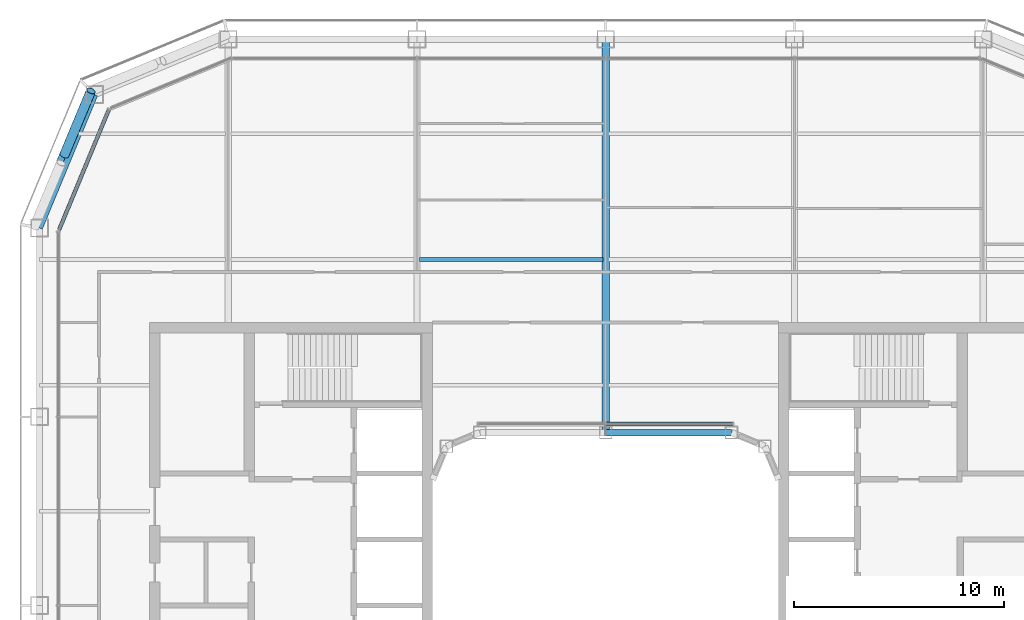
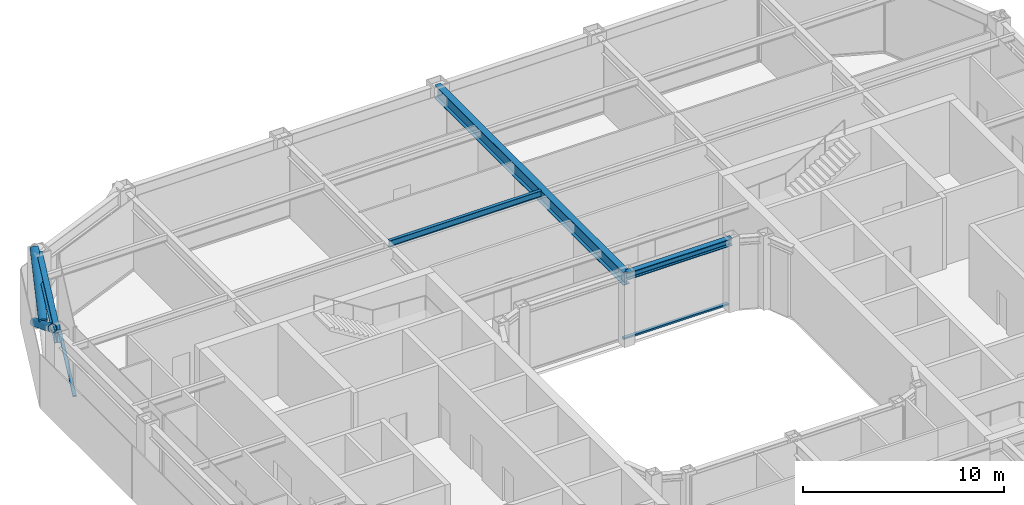
# One storey, part 7 of 19: 4 beams, 4 members, 2 elements without a shape of their own.
"""IFC4 building model written with IfcOpenShell, lengths in metres."""

import ifcopenshell
import ifcopenshell.guid

model = None  # the IFC model being written
_history = None  # IfcOwnerHistory: only IFC2X3 demands one
_inside = {}  # id of a spatial element -> (the spatial element, [elements in it])
_under = {}  # id of a project, library or spatial element -> (it, [spatial elements below it])
_declared = {}  # id of a project -> (the project, [libraries it declares])
_typed = {}  # id of a type object -> (the type object, [elements of that type])
_made_of = {}  # id of a material, layer set ... -> (it, [elements and type objects made of it])


def new_model(schema):
    """Start an empty IFC model of exactly this schema.

    Asked for "IFC4X3", IfcOpenShell would pick the latest addendum, in which some entities
    have other attributes; the version numbers below select the first issue.
    IFC2X3 requires an IfcOwnerHistory on every rooted entity: one is made here for all.
    """
    global model, _history
    if schema == "IFC4X3":
        model = ifcopenshell.file(schema_version=(4, 3, 0, 0))
    else:
        model = ifcopenshell.file(schema=schema)
    _inside.clear()
    _under.clear()
    _declared.clear()
    _typed.clear()
    _made_of.clear()
    _history = None
    if model.schema == "IFC2X3":
        org = make("IfcOrganization", Name="unknown")
        user = make(
            "IfcPersonAndOrganization",
            ThePerson=make("IfcPerson", FamilyName="unknown"),
            TheOrganization=org,
        )
        app = make(
            "IfcApplication",
            ApplicationDeveloper=org,
            Version="unknown",
            ApplicationFullName="unknown",
            ApplicationIdentifier="unknown",
        )
        _history = make(
            "IfcOwnerHistory",
            OwningUser=user,
            OwningApplication=app,
            ChangeAction="ADDED",
            CreationDate=0,
        )
    return model


def make(cls, **values):
    """One entity of the class cls with the attributes given. An attribute that is None is left unset."""
    return model.create_entity(
        cls, **{name: value for name, value in values.items() if value is not None}
    )


def rooted(cls, **values):
    """An entity with a GlobalId (a new one), such as an element, a storey or a relation."""
    return make(cls, GlobalId=ifcopenshell.guid.new(), OwnerHistory=_history, **values)


def si_unit(unit_type, name, prefix=None):
    """IfcSIUnit, for example si_unit("LENGTHUNIT", "METRE", prefix="MILLI")."""
    return make("IfcSIUnit", UnitType=unit_type, Prefix=prefix, Name=name)


def assignment(units):
    """IfcUnitAssignment: the units of a project."""
    return None if units is None else make("IfcUnitAssignment", Units=units)


def point(xyz):
    """IfcCartesianPoint."""
    return None if xyz is None else make("IfcCartesianPoint", Coordinates=xyz)


def direction(xyz):
    """IfcDirection."""
    return None if xyz is None else make("IfcDirection", DirectionRatios=xyz)


def frame(location, z_axis=None, x_axis=None):
    """IfcAxis2Placement3D, a coordinate frame: its origin and axes. An axis left out is left unset."""
    return make(
        "IfcAxis2Placement3D",
        Location=point(location),
        Axis=direction(z_axis),
        RefDirection=direction(x_axis),
    )


def frame_2d(location, x_axis=None):
    """IfcAxis2Placement2D, a coordinate frame in the plane: its origin and x axis."""
    return make(
        "IfcAxis2Placement2D", Location=point(location), RefDirection=direction(x_axis)
    )


def origin():
    """The frame at (0, 0, 0) with its axes left unset."""
    return frame((0.0, 0.0, 0.0))


def origin_2d():
    """The frame at (0, 0) in the plane with its x axis left unset."""
    return frame_2d((0.0, 0.0))


def place(relative_to, where):
    """IfcLocalPlacement: puts the frame where relative to a parent placement (None: the world)."""
    return make(
        "IfcLocalPlacement", PlacementRelTo=relative_to, RelativePlacement=where
    )


def context(
    kind, dimensions, precision=None, world=None, true_north=None, identifier=None
):
    """IfcGeometricRepresentationContext, for example the 3D "Model" context."""
    return make(
        "IfcGeometricRepresentationContext",
        ContextIdentifier=identifier,
        ContextType=kind,
        CoordinateSpaceDimension=dimensions,
        Precision=precision,
        WorldCoordinateSystem=world,
        TrueNorth=true_north,
    )


def subcontext(parent, identifier, kind, view, scale=None):
    """IfcGeometricRepresentationSubContext, for example "Body" below "Model"."""
    return make(
        "IfcGeometricRepresentationSubContext",
        ContextIdentifier=identifier,
        ContextType=kind,
        ParentContext=parent,
        TargetScale=scale,
        TargetView=view,
    )


def project(units=None, contexts=None):
    """IfcProject with its units and contexts."""
    return rooted(
        "IfcProject",
        Name="project",
        RepresentationContexts=contexts,
        UnitsInContext=assignment(units),
    )


def spatial(cls, under=None, at=None, **own):
    """A site, building, storey or space (cls), placed at a placement, below another one or the project."""
    s = rooted(cls, ObjectPlacement=at, **own)
    if under is not None:
        _under.setdefault(under.id(), (under, []))[1].append(s)
    return s


def profile(cls, at=None, kind="AREA", **sizes):
    """A parametric profile (cls). Its sizes go by their IFC names, for example OverallWidth=200.0."""
    return make(cls, ProfileType=kind, Position=at, **sizes)


def rectangle(**sizes):
    """IfcRectangleProfileDef."""
    return profile("IfcRectangleProfileDef", **sizes)


def hollow_circle(**sizes):
    """IfcCircleHollowProfileDef."""
    return profile("IfcCircleHollowProfileDef", **sizes)


def i_section(**sizes):
    """IfcIShapeProfileDef."""
    return profile("IfcIShapeProfileDef", **sizes)


def extrude(swept, where, along, depth):
    """IfcExtrudedAreaSolid: the profile swept, set in the frame where, extruded along a direction by depth."""
    return make(
        "IfcExtrudedAreaSolid",
        SweptArea=swept,
        Position=where,
        ExtrudedDirection=direction(along),
        Depth=depth,
    )


def shape(context_of_items, identifier, shape_type, items):
    """IfcShapeRepresentation: the items that make up one representation, for example the "Body"."""
    return make(
        "IfcShapeRepresentation",
        ContextOfItems=context_of_items,
        RepresentationIdentifier=identifier,
        RepresentationType=shape_type,
        Items=items,
    )


def material(Name=None, Category=None):
    """IfcMaterial."""
    return make("IfcMaterial", Name=Name, Category=Category)


def layer(
    of_material, thickness, ventilated=None, Name=None, Category=None, Priority=None
):
    """IfcMaterialLayer: one layer of a wall or slab, of a material (None: an air gap)."""
    return make(
        "IfcMaterialLayer",
        Material=of_material,
        LayerThickness=thickness,
        IsVentilated=ventilated,
        Name=Name,
        Category=Category,
        Priority=Priority,
    )


def layer_set(layers, Name=None):
    """IfcMaterialLayerSet."""
    return make("IfcMaterialLayerSet", MaterialLayers=layers, LayerSetName=Name)


def material_profile(
    of_material, cross_section, Name=None, Category=None, Priority=None
):
    """IfcMaterialProfile: a cross section and its material."""
    return make(
        "IfcMaterialProfile",
        Name=Name,
        Material=of_material,
        Profile=cross_section,
        Priority=Priority,
        Category=Category,
    )


def profile_set(profiles, Name=None, composite=None):
    """IfcMaterialProfileSet."""
    return make(
        "IfcMaterialProfileSet",
        Name=Name,
        MaterialProfiles=profiles,
        CompositeProfile=composite,
    )


def made_of(thing, what):
    """Note that an element or type object is made of a material, layer set ...; save() writes the relation."""
    if what is not None:
        _made_of.setdefault(what.id(), (what, []))[1].append(thing)
    return thing


def type_object(cls, material=None, **own):
    """A type object (cls), such as IfcWallType, which elements share."""
    return made_of(rooted(cls, **own), material)


def element(
    cls,
    number,
    at=None,
    inside=None,
    cuts=None,
    type_object=None,
    material=None,
    context=None,
    identifier="Body",
    shape_type=None,
    held_by="IfcProductDefinitionShape",
    body=None,
    shapes=None,
    **own,
):
    """One element of the class cls, such as IfcWall. Its Tag is "e" and its number.

    at: its placement. inside: the storey or other place that contains it. cuts: it is an
    opening in that element (IfcRelVoidsElement). A single representation is given by context,
    identifier, shape_type and body (its items); several are given by shapes. held_by: the class
    of the entity that holds the representations. save() writes the other relations.
    """
    e = rooted(cls, Tag="e%d" % number, ObjectPlacement=at, **own)
    if body is not None:
        shapes = [shape(context, identifier, shape_type, body)]
    if shapes is not None:
        e.Representation = make(held_by, Representations=shapes)
    if inside is not None:
        _inside.setdefault(inside.id(), (inside, []))[1].append(e)
    if cuts is not None:
        rooted(
            "IfcRelVoidsElement", RelatingBuildingElement=cuts, RelatedOpeningElement=e
        )
    if type_object is not None:
        _typed.setdefault(type_object.id(), (type_object, []))[1].append(e)
    return made_of(e, material)


def aggregate(whole, parts):
    """IfcRelAggregates: a whole, such as a stair, and the parts it consists of."""
    return rooted("IfcRelAggregates", RelatingObject=whole, RelatedObjects=parts)


def save(model, path):
    """Write the relations noted so far, then the file.

    IfcRelAggregates (storeys below a building ...), IfcRelContainedInSpatialStructure (elements
    in a storey), IfcRelDefinesByType, IfcRelAssociatesMaterial and IfcRelDeclares: one each for
    every whole, place, type object, material and project.
    """
    for whole, parts in _under.values():
        aggregate(whole, parts)
    for where, things in _inside.values():
        rooted(
            "IfcRelContainedInSpatialStructure",
            RelatedElements=things,
            RelatingStructure=where,
        )
    for kind, things in _typed.values():
        rooted("IfcRelDefinesByType", RelatedObjects=things, RelatingType=kind)
    for what, things in _made_of.values():
        rooted("IfcRelAssociatesMaterial", RelatedObjects=things, RelatingMaterial=what)
    for by, libraries in _declared.values():
        rooted("IfcRelDeclares", RelatingContext=by, RelatedDefinitions=libraries)
    model.write(path)


model = new_model("IFC4")

# Units and contexts
model_context = context("Model", 3, precision=1e-05, world=origin(), true_north=direction((0.0, 1.0)))
body_context = subcontext(model_context, "Body", "Model", "MODEL_VIEW")
ifc_project = project(units=[si_unit("LENGTHUNIT", "METRE"), si_unit("AREAUNIT", "SQUARE_METRE"), si_unit("VOLUMEUNIT", "CUBIC_METRE"), si_unit("PLANEANGLEUNIT", "RADIAN"), si_unit("MASSUNIT", "GRAM", prefix="KILO")], contexts=[model_context])

# Site, building, storey
site_placement = place(None, origin())
site = spatial("IfcSite", under=ifc_project, at=site_placement, CompositionType="ELEMENT")
building_placement = place(site_placement, origin())
building = spatial("IfcBuilding", under=site, at=building_placement, Name="Siwar Civic Tower", CompositionType="ELEMENT")
storey_placement = place(building_placement, frame((0.0, 0.0, 210.699951171875)))
storey = spatial("IfcBuildingStorey", under=building, at=storey_placement, Name="L45", CompositionType="ELEMENT", Elevation=210.699951171875)

# Curtain wall, member
ifc_material_1 = material(Name="Aluminium clad insulated panel", Category="aluminium")
ifc_layer_1 = layer(ifc_material_1, 0.179931640625)
ifc_layer_set_1 = layer_set([ifc_layer_1], Name="Aluminium clad insulated panel")
curtain_wall_type_1 = type_object("IfcCurtainWallType", Name="ENV-CW-CX", PredefinedType="NOTDEFINED", material=ifc_layer_set_1)
curtain_wall_1_placement = place(storey_placement, origin())
curtain_wall_1 = element("IfcCurtainWall", 1, at=curtain_wall_1_placement, inside=storey, type_object=curtain_wall_type_1, Name="Curtain wall C NW2", PredefinedType="NOTDEFINED")
ifc_material_2 = material(Name="Aluminium 6063-T6", Category="aluminium")
ifc_material_profile_1 = material_profile(ifc_material_2, rectangle(XDim=0.179931640625, YDim=0.10009765625, at=origin_2d()), Name="AL 180x100")
ifc_profile_set_1 = profile_set([ifc_material_profile_1], Name="Aluminium 6063-T6")
member_type_1 = type_object("IfcMemberType", Name="ENV-TRANSOM-C", PredefinedType="USERDEFINED", material=ifc_profile_set_1)
member_1_placement = place(storey_placement, frame((-23.6865234375, 23.6474609375, 0.050048828125), z_axis=(-0.382691366456, -0.923876246063, 0.0), x_axis=(0.923876246063, -0.382691366456, 0.0)))
member_1 = element("IfcMember", 2, at=member_1_placement, type_object=member_type_1, Name="Transom C NW2 1", ObjectType="TRANSOM", PredefinedType="USERDEFINED", context=body_context, shape_type="SweptSolid", body=[
    extrude(rectangle(XDim=0.179931640625, YDim=0.10009765625, at=origin_2d()), origin(), (0.0, 0.0, 1.0), 6.20166015625),
])
aggregate(curtain_wall_1, [member_1])

ifc_material_3 = material(Name="Aluminium and glass", Category="aluminium")
ifc_layer_2 = layer(ifc_material_3, 0.179931640625)
ifc_layer_set_2 = layer_set([ifc_layer_2], Name="Aluminium and glass")
curtain_wall_type_2 = type_object("IfcCurtainWallType", Name="ENV-CW-W", PredefinedType="NOTDEFINED", material=ifc_layer_set_2)
curtain_wall_2_placement = place(storey_placement, origin())
curtain_wall_2 = element("IfcCurtainWall", 3, at=curtain_wall_2_placement, inside=storey, type_object=curtain_wall_type_2, Name="Curtain wall W WN", PredefinedType="NOTDEFINED")
ifc_material_4 = material(Name="Aluminium 6063-T6", Category="aluminium")
ifc_material_profile_2 = material_profile(ifc_material_4, rectangle(XDim=0.179931640625, YDim=0.10009765625, at=origin_2d()), Name="AL 180x100")
ifc_profile_set_2 = profile_set([ifc_material_profile_2], Name="Aluminium 6063-T6")
member_type_2 = type_object("IfcMemberType", Name="ENV-TRANSOM-W", PredefinedType="USERDEFINED", material=ifc_profile_set_2)
member_2_placement = place(storey_placement, frame((6.051513671875, 8.659912109375, 0.050048828125), z_axis=(-1.0, 0.0, 0.0), x_axis=(0.0, -1.0, 0.0)))
member_2 = element("IfcMember", 4, at=member_2_placement, type_object=member_type_2, Name="Transom W WN 1", ObjectType="TRANSOM", PredefinedType="USERDEFINED", context=body_context, shape_type="SweptSolid", body=[
    extrude(rectangle(XDim=0.179931640625, YDim=0.10009765625, at=origin_2d()), origin(), (0.0, 0.0, 1.0), 6.021484375),
])
aggregate(curtain_wall_2, [member_2])

# Members
ifc_material_5 = material(Name="Steel S355", Category="steel")
ifc_material_profile_3 = material_profile(ifc_material_5, hollow_circle(Radius=0.228515625, WallThickness=0.02001953125, at=origin_2d()), Name="CHS457x20")
ifc_profile_set_3 = profile_set([ifc_material_profile_3], Name="Steel S355")
member_type_3 = type_object("IfcMemberType", Name="STR-BR-CHS457x20", PredefinedType="BRACE", material=ifc_profile_set_3)
member_3_placement = place(storey_placement, frame((-24.540771484375, 24.540771484375, 0.0), z_axis=(-0.323905527954, -0.777554562952, 0.538975055633), x_axis=(0.923108759191, -0.384538969033, 0.0)))
element("IfcMember", 5, at=member_3_placement, inside=storey, type_object=member_type_3, Name="L45/brc/CNW1-5-0-1", PredefinedType="BRACE", context=body_context, shape_type="SweptSolid", body=[
    extrude(hollow_circle(Radius=0.228515625, WallThickness=0.02001953125, at=origin_2d()), origin(), (0.0, 0.0, 1.0), 8.34912109375),
])
member_4_placement = place(storey_placement, frame((-25.81298828125, 21.486572265625, 2.383056640625), z_axis=(0.323895306243, 0.777572496853, 0.538955325357), x_axis=(-0.92311621485, 0.38452107079, 0.0)))
element("IfcMember", 6, at=member_4_placement, inside=storey, type_object=member_type_3, Name="L45/brc/CNW1-5-0-3", PredefinedType="BRACE", context=body_context, shape_type="SweptSolid", body=[
    extrude(hollow_circle(Radius=0.228515625, WallThickness=0.02001953125, at=origin_2d()), origin(), (0.0, 0.0, 1.0), 3.927978515625),
])

# Beams
ifc_material_6 = material(Name="Steel S355", Category="steel")
ifc_material_profile_4 = material_profile(ifc_material_6, i_section(OverallWidth=0.179931640625, OverallDepth=0.39990234375, WebThickness=0.008544921875, FlangeThickness=0.013427734375, FilletRadius=0.02099609375, at=origin_2d()), Name="IPE400")
ifc_profile_set_4 = profile_set([ifc_material_profile_4], Name="Steel S355")
beam_type_1 = type_object("IfcBeamType", Name="STR-FB-IPE400", PredefinedType="JOIST", material=ifc_profile_set_4)
beam_1_placement = place(storey_placement, frame((-8.8701171875, 16.5, 4.150146484375), z_axis=(1.0, 0.0, 0.0), x_axis=(0.0, 1.0, 0.0)))
element("IfcBeam", 7, at=beam_1_placement, inside=storey, type_object=beam_type_1, Name="L45/bm/F033", PredefinedType="JOIST", context=body_context, shape_type="SweptSolid", body=[
    extrude(i_section(OverallWidth=0.179931640625, OverallDepth=0.39990234375, WebThickness=0.008544921875, FlangeThickness=0.013427734375, FilletRadius=0.02099609375, at=origin_2d()), origin(), (0.0, 0.0, 1.0), 8.740234375),
])
ifc_material_7 = material(Name="Steel S355", Category="steel")
ifc_material_profile_5 = material_profile(ifc_material_7, i_section(OverallWidth=0.360107421875, OverallDepth=0.800048828125, WebThickness=0.013916015625, FlangeThickness=0.031982421875, at=origin_2d()), Name="PG800x360x14x32")
ifc_profile_set_5 = profile_set([ifc_material_profile_5], Name="Steel S355")
beam_type_2 = type_object("IfcBeamType", Name="STR-PG-PG800x360x14x32", PredefinedType="BEAM", material=ifc_profile_set_5)
beam_2_placement = place(storey_placement, frame((0.0, 8.25, 3.949951171875), z_axis=(0.0, 1.0, 0.0), x_axis=(-1.0, 0.0, 0.0)))
element("IfcBeam", 8, at=beam_2_placement, inside=storey, type_object=beam_type_2, Name="L45/bm/G06", PredefinedType="BEAM", context=body_context, shape_type="SweptSolid", body=[
    extrude(i_section(OverallWidth=0.360107421875, OverallDepth=0.800048828125, WebThickness=0.013916015625, FlangeThickness=0.031982421875, at=origin_2d()), origin(), (0.0, 0.0, 1.0), 18.75),
])
ifc_material_8 = material(Name="Steel S355", Category="steel")
ifc_material_profile_6 = material_profile(ifc_material_8, i_section(OverallWidth=0.306884765625, OverallDepth=0.431884765625, WebThickness=0.02099609375, FlangeThickness=0.0400390625, FilletRadius=0.027099609375, at=origin_2d()), Name="HEM400")
ifc_profile_set_6 = profile_set([ifc_material_profile_6], Name="Steel S355")
beam_type_3 = type_object("IfcBeamType", Name="STR-RB-HEM400", PredefinedType="BEAM", material=ifc_profile_set_6)
beam_3_placement = place(storey_placement, frame((0.0, 8.25, 4.134033203125), z_axis=(1.0, 0.0, 0.0), x_axis=(0.0, 1.0, 0.0)))
element("IfcBeam", 9, at=beam_3_placement, inside=storey, type_object=beam_type_3, Name="L45/bm/RN2", PredefinedType="BEAM", context=body_context, shape_type="SweptSolid", body=[
    extrude(i_section(OverallWidth=0.306884765625, OverallDepth=0.431884765625, WebThickness=0.02099609375, FlangeThickness=0.0400390625, FilletRadius=0.027099609375, at=origin_2d()), origin(), (0.0, 0.0, 1.0), 6.0),
])
ifc_material_9 = material(Name="Steel S355", Category="steel")
ifc_material_profile_7 = material_profile(ifc_material_9, i_section(OverallWidth=0.300048828125, OverallDepth=0.800048828125, WebThickness=0.017578125, FlangeThickness=0.032958984375, FilletRadius=0.030029296875, at=origin_2d()), Name="HEB800")
ifc_profile_set_7 = profile_set([ifc_material_profile_7], Name="Steel S355")
beam_type_4 = type_object("IfcBeamType", Name="STR-SB-HEB800", PredefinedType="BEAM", material=ifc_profile_set_7)
beam_4_placement = place(storey_placement, frame((-24.364013671875, 24.364013671875, 3.949951171875), z_axis=(-0.382674207535, -0.923883353507, 0.0), x_axis=(0.923883353507, -0.382674207535, 0.0)))
element("IfcBeam", 10, at=beam_4_placement, inside=storey, type_object=beam_type_4, Name="L45/bm/SNW2-0", PredefinedType="BEAM", context=body_context, shape_type="SweptSolid", body=[
    extrude(i_section(OverallWidth=0.300048828125, OverallDepth=0.800048828125, WebThickness=0.017578125, FlangeThickness=0.032958984375, FilletRadius=0.030029296875, at=origin_2d()), origin(), (0.0, 0.0, 1.0), 6.888427734375),
])

save(model, "model.ifc")
